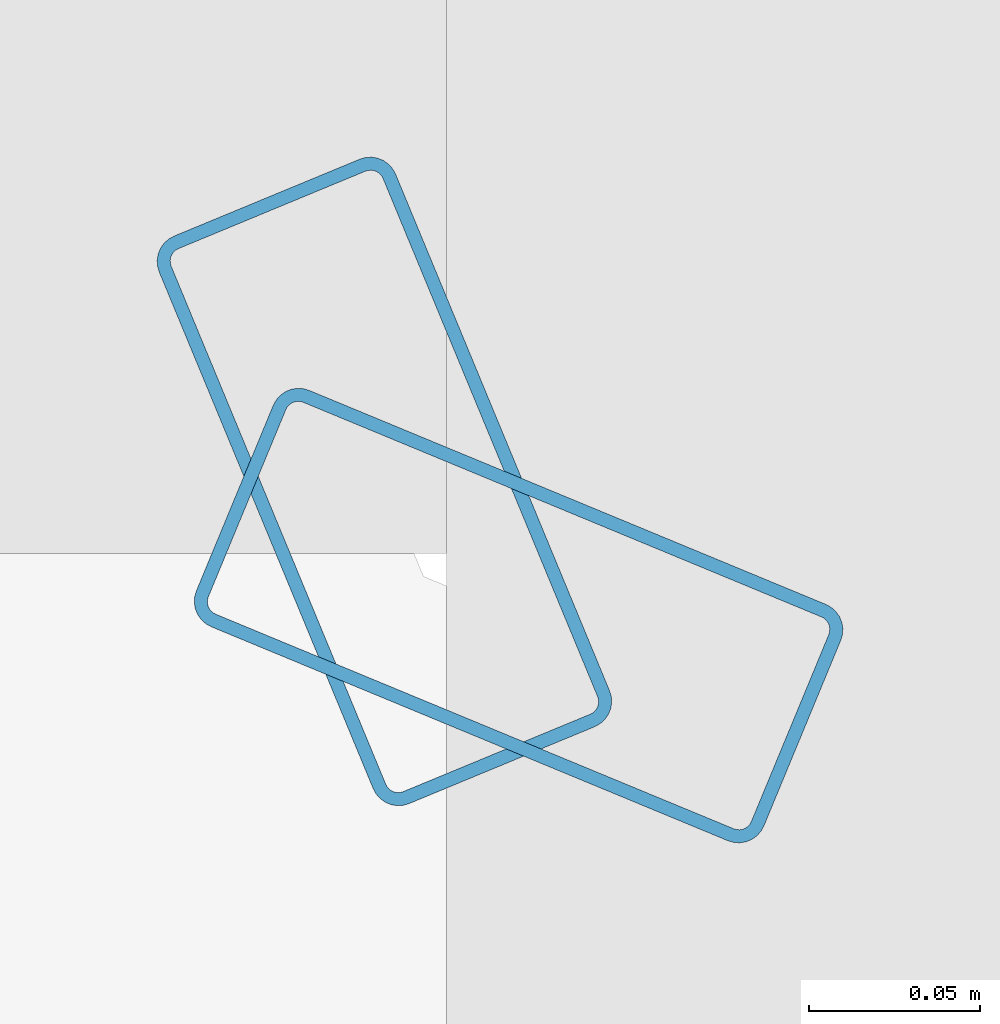
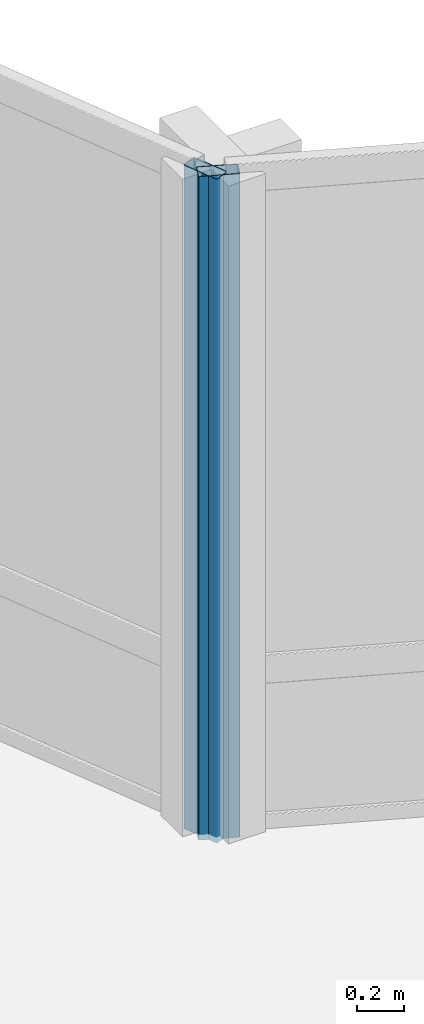
# One storey, part 8 of 29: 2 members, 2 elements without a shape of their own.
"""IFC4 building model written with IfcOpenShell, lengths in metres."""

import ifcopenshell
import ifcopenshell.guid

model = None  # the IFC model being written
_history = None  # IfcOwnerHistory: only IFC2X3 demands one
_inside = {}  # id of a spatial element -> (the spatial element, [elements in it])
_under = {}  # id of a project, library or spatial element -> (it, [spatial elements below it])
_declared = {}  # id of a project -> (the project, [libraries it declares])
_typed = {}  # id of a type object -> (the type object, [elements of that type])
_made_of = {}  # id of a material, layer set ... -> (it, [elements and type objects made of it])


def new_model(schema):
    """Start an empty IFC model of exactly this schema.

    Asked for "IFC4X3", IfcOpenShell would pick the latest addendum, in which some entities
    have other attributes; the version numbers below select the first issue.
    IFC2X3 requires an IfcOwnerHistory on every rooted entity: one is made here for all.
    """
    global model, _history
    if schema == "IFC4X3":
        model = ifcopenshell.file(schema_version=(4, 3, 0, 0))
    else:
        model = ifcopenshell.file(schema=schema)
    _inside.clear()
    _under.clear()
    _declared.clear()
    _typed.clear()
    _made_of.clear()
    _history = None
    if model.schema == "IFC2X3":
        org = make("IfcOrganization", Name="unknown")
        user = make(
            "IfcPersonAndOrganization",
            ThePerson=make("IfcPerson", FamilyName="unknown"),
            TheOrganization=org,
        )
        app = make(
            "IfcApplication",
            ApplicationDeveloper=org,
            Version="unknown",
            ApplicationFullName="unknown",
            ApplicationIdentifier="unknown",
        )
        _history = make(
            "IfcOwnerHistory",
            OwningUser=user,
            OwningApplication=app,
            ChangeAction="ADDED",
            CreationDate=0,
        )
    return model


def make(cls, **values):
    """One entity of the class cls with the attributes given. An attribute that is None is left unset."""
    return model.create_entity(
        cls, **{name: value for name, value in values.items() if value is not None}
    )


def rooted(cls, **values):
    """An entity with a GlobalId (a new one), such as an element, a storey or a relation."""
    return make(cls, GlobalId=ifcopenshell.guid.new(), OwnerHistory=_history, **values)


def si_unit(unit_type, name, prefix=None):
    """IfcSIUnit, for example si_unit("LENGTHUNIT", "METRE", prefix="MILLI")."""
    return make("IfcSIUnit", UnitType=unit_type, Prefix=prefix, Name=name)


def assignment(units):
    """IfcUnitAssignment: the units of a project."""
    return None if units is None else make("IfcUnitAssignment", Units=units)


def point(xyz):
    """IfcCartesianPoint."""
    return None if xyz is None else make("IfcCartesianPoint", Coordinates=xyz)


def direction(xyz):
    """IfcDirection."""
    return None if xyz is None else make("IfcDirection", DirectionRatios=xyz)


def frame(location, z_axis=None, x_axis=None):
    """IfcAxis2Placement3D, a coordinate frame: its origin and axes. An axis left out is left unset."""
    return make(
        "IfcAxis2Placement3D",
        Location=point(location),
        Axis=direction(z_axis),
        RefDirection=direction(x_axis),
    )


def frame_2d(location, x_axis=None):
    """IfcAxis2Placement2D, a coordinate frame in the plane: its origin and x axis."""
    return make(
        "IfcAxis2Placement2D", Location=point(location), RefDirection=direction(x_axis)
    )


def origin():
    """The frame at (0, 0, 0) with its axes left unset."""
    return frame((0.0, 0.0, 0.0))


def origin_2d():
    """The frame at (0, 0) in the plane with its x axis left unset."""
    return frame_2d((0.0, 0.0))


def place(relative_to, where):
    """IfcLocalPlacement: puts the frame where relative to a parent placement (None: the world)."""
    return make(
        "IfcLocalPlacement", PlacementRelTo=relative_to, RelativePlacement=where
    )


def context(
    kind, dimensions, precision=None, world=None, true_north=None, identifier=None
):
    """IfcGeometricRepresentationContext, for example the 3D "Model" context."""
    return make(
        "IfcGeometricRepresentationContext",
        ContextIdentifier=identifier,
        ContextType=kind,
        CoordinateSpaceDimension=dimensions,
        Precision=precision,
        WorldCoordinateSystem=world,
        TrueNorth=true_north,
    )


def subcontext(parent, identifier, kind, view, scale=None):
    """IfcGeometricRepresentationSubContext, for example "Body" below "Model"."""
    return make(
        "IfcGeometricRepresentationSubContext",
        ContextIdentifier=identifier,
        ContextType=kind,
        ParentContext=parent,
        TargetScale=scale,
        TargetView=view,
    )


def project(units=None, contexts=None):
    """IfcProject with its units and contexts."""
    return rooted(
        "IfcProject",
        Name="project",
        RepresentationContexts=contexts,
        UnitsInContext=assignment(units),
    )


def spatial(cls, under=None, at=None, **own):
    """A site, building, storey or space (cls), placed at a placement, below another one or the project."""
    s = rooted(cls, ObjectPlacement=at, **own)
    if under is not None:
        _under.setdefault(under.id(), (under, []))[1].append(s)
    return s


def profile(cls, at=None, kind="AREA", **sizes):
    """A parametric profile (cls). Its sizes go by their IFC names, for example OverallWidth=200.0."""
    return make(cls, ProfileType=kind, Position=at, **sizes)


def hollow_rectangle(**sizes):
    """IfcRectangleHollowProfileDef."""
    return profile("IfcRectangleHollowProfileDef", **sizes)


def extrude(swept, where, along, depth):
    """IfcExtrudedAreaSolid: the profile swept, set in the frame where, extruded along a direction by depth."""
    return make(
        "IfcExtrudedAreaSolid",
        SweptArea=swept,
        Position=where,
        ExtrudedDirection=direction(along),
        Depth=depth,
    )


def shape(context_of_items, identifier, shape_type, items):
    """IfcShapeRepresentation: the items that make up one representation, for example the "Body"."""
    return make(
        "IfcShapeRepresentation",
        ContextOfItems=context_of_items,
        RepresentationIdentifier=identifier,
        RepresentationType=shape_type,
        Items=items,
    )


def material(Name=None, Category=None):
    """IfcMaterial."""
    return make("IfcMaterial", Name=Name, Category=Category)


def layer(
    of_material, thickness, ventilated=None, Name=None, Category=None, Priority=None
):
    """IfcMaterialLayer: one layer of a wall or slab, of a material (None: an air gap)."""
    return make(
        "IfcMaterialLayer",
        Material=of_material,
        LayerThickness=thickness,
        IsVentilated=ventilated,
        Name=Name,
        Category=Category,
        Priority=Priority,
    )


def layer_set(layers, Name=None):
    """IfcMaterialLayerSet."""
    return make("IfcMaterialLayerSet", MaterialLayers=layers, LayerSetName=Name)


def material_profile(
    of_material, cross_section, Name=None, Category=None, Priority=None
):
    """IfcMaterialProfile: a cross section and its material."""
    return make(
        "IfcMaterialProfile",
        Name=Name,
        Material=of_material,
        Profile=cross_section,
        Priority=Priority,
        Category=Category,
    )


def profile_set(profiles, Name=None, composite=None):
    """IfcMaterialProfileSet."""
    return make(
        "IfcMaterialProfileSet",
        Name=Name,
        MaterialProfiles=profiles,
        CompositeProfile=composite,
    )


def made_of(thing, what):
    """Note that an element or type object is made of a material, layer set ...; save() writes the relation."""
    if what is not None:
        _made_of.setdefault(what.id(), (what, []))[1].append(thing)
    return thing


def type_object(cls, material=None, **own):
    """A type object (cls), such as IfcWallType, which elements share."""
    return made_of(rooted(cls, **own), material)


def element(
    cls,
    number,
    at=None,
    inside=None,
    cuts=None,
    type_object=None,
    material=None,
    context=None,
    identifier="Body",
    shape_type=None,
    held_by="IfcProductDefinitionShape",
    body=None,
    shapes=None,
    **own,
):
    """One element of the class cls, such as IfcWall. Its Tag is "e" and its number.

    at: its placement. inside: the storey or other place that contains it. cuts: it is an
    opening in that element (IfcRelVoidsElement). A single representation is given by context,
    identifier, shape_type and body (its items); several are given by shapes. held_by: the class
    of the entity that holds the representations. save() writes the other relations.
    """
    e = rooted(cls, Tag="e%d" % number, ObjectPlacement=at, **own)
    if body is not None:
        shapes = [shape(context, identifier, shape_type, body)]
    if shapes is not None:
        e.Representation = make(held_by, Representations=shapes)
    if inside is not None:
        _inside.setdefault(inside.id(), (inside, []))[1].append(e)
    if cuts is not None:
        rooted(
            "IfcRelVoidsElement", RelatingBuildingElement=cuts, RelatedOpeningElement=e
        )
    if type_object is not None:
        _typed.setdefault(type_object.id(), (type_object, []))[1].append(e)
    return made_of(e, material)


def aggregate(whole, parts):
    """IfcRelAggregates: a whole, such as a stair, and the parts it consists of."""
    return rooted("IfcRelAggregates", RelatingObject=whole, RelatedObjects=parts)


def save(model, path):
    """Write the relations noted so far, then the file.

    IfcRelAggregates (storeys below a building ...), IfcRelContainedInSpatialStructure (elements
    in a storey), IfcRelDefinesByType, IfcRelAssociatesMaterial and IfcRelDeclares: one each for
    every whole, place, type object, material and project.
    """
    for whole, parts in _under.values():
        aggregate(whole, parts)
    for where, things in _inside.values():
        rooted(
            "IfcRelContainedInSpatialStructure",
            RelatedElements=things,
            RelatingStructure=where,
        )
    for kind, things in _typed.values():
        rooted("IfcRelDefinesByType", RelatedObjects=things, RelatingType=kind)
    for what, things in _made_of.values():
        rooted("IfcRelAssociatesMaterial", RelatedObjects=things, RelatingMaterial=what)
    for by, libraries in _declared.values():
        rooted("IfcRelDeclares", RelatingContext=by, RelatedDefinitions=libraries)
    model.write(path)


model = new_model("IFC4")

# Units and contexts
model_context = context("Model", 3, precision=1e-05, world=origin(), true_north=direction((0.0, 1.0)))
body_context = subcontext(model_context, "Body", "Model", "MODEL_VIEW")
ifc_project = project(units=[si_unit("LENGTHUNIT", "METRE"), si_unit("AREAUNIT", "SQUARE_METRE"), si_unit("VOLUMEUNIT", "CUBIC_METRE"), si_unit("PLANEANGLEUNIT", "RADIAN"), si_unit("MASSUNIT", "GRAM", prefix="KILO")], contexts=[model_context])

# Site, building, storey
site_placement = place(None, origin())
site = spatial("IfcSite", under=ifc_project, at=site_placement, CompositionType="ELEMENT")
building_placement = place(site_placement, origin())
building = spatial("IfcBuilding", under=site, at=building_placement, Name="Solvaryn Broadcast Tower", CompositionType="ELEMENT")
storey_placement = place(building_placement, frame((0.0, 0.0, 117.39990234375)))
storey = spatial("IfcBuildingStorey", under=building, at=storey_placement, Name="L28", CompositionType="ELEMENT", Elevation=117.39990234375)

# Curtain wall, member
ifc_material_1 = material(Name="Aluminium and Terracotta Unitised Curtain Wall", Category="masonry")
ifc_layer = layer(ifc_material_1, 0.199951171875)
ifc_layer_set = layer_set([ifc_layer], Name="CW-SYS2-LOWMID")
curtain_wall_type = type_object("IfcCurtainWallType", Name="CW-SYS2-LOWMID", PredefinedType="NOTDEFINED", material=ifc_layer_set)
curtain_wall_1_placement = place(storey_placement, origin())
curtain_wall_1 = element("IfcCurtainWall", 1, at=curtain_wall_1_placement, inside=storey, type_object=curtain_wall_type, Name="L28 Curtain Wall CN1", PredefinedType="NOTDEFINED")
ifc_material_2 = material(Name="Anodised Aluminium 6063-T6", Category="aluminium")
ifc_material_profile = material_profile(ifc_material_2, hollow_rectangle(XDim=0.074951171875, YDim=0.179931640625, WallThickness=0.00390625, InnerFilletRadius=0.00390625, OuterFilletRadius=0.008056640625, at=origin_2d()))
ifc_profile_set = profile_set([ifc_material_profile], Name="Anodised Aluminium 6063-T6")
member_type = type_object("IfcMemberType", Name="CW-MUL-180", PredefinedType="MULLION", material=ifc_profile_set)
member_1_placement = place(storey_placement, frame((30.395751953125, 30.3564453125, 0.0), z_axis=(0.0, 0.0, 1.0), x_axis=(-0.382646127145, -0.923894983957, 0.0)))
member_1 = element("IfcMember", 2, at=member_1_placement, type_object=member_type, Name="CWS2 mullion 2", PredefinedType="MULLION", context=body_context, shape_type="SweptSolid", body=[
    extrude(hollow_rectangle(XDim=0.074951171875, YDim=0.179931640625, WallThickness=0.00390625, InnerFilletRadius=0.00390625, OuterFilletRadius=0.008056640625, at=origin_2d()), origin(), (0.0, 0.0, 1.0), 3.420166015625),
])
aggregate(curtain_wall_1, [member_1])

curtain_wall_2_placement = place(storey_placement, origin())
curtain_wall_2 = element("IfcCurtainWall", 3, at=curtain_wall_2_placement, inside=storey, type_object=curtain_wall_type, Name="L28 Curtain Wall CN2", PredefinedType="NOTDEFINED")
member_2_placement = place(storey_placement, frame((30.3564453125, 30.395751953125, 0.0), z_axis=(0.0, 0.0, 1.0), x_axis=(-0.923894983957, -0.382646127145, 0.0)))
member_2 = element("IfcMember", 4, at=member_2_placement, type_object=member_type, Name="CWS2 mullion 1", PredefinedType="MULLION", context=body_context, shape_type="SweptSolid", body=[
    extrude(hollow_rectangle(XDim=0.074951171875, YDim=0.179931640625, WallThickness=0.00390625, InnerFilletRadius=0.00390625, OuterFilletRadius=0.008056640625, at=origin_2d()), origin(), (0.0, 0.0, 1.0), 3.420166015625),
])
aggregate(curtain_wall_2, [member_2])

save(model, "model.ifc")
